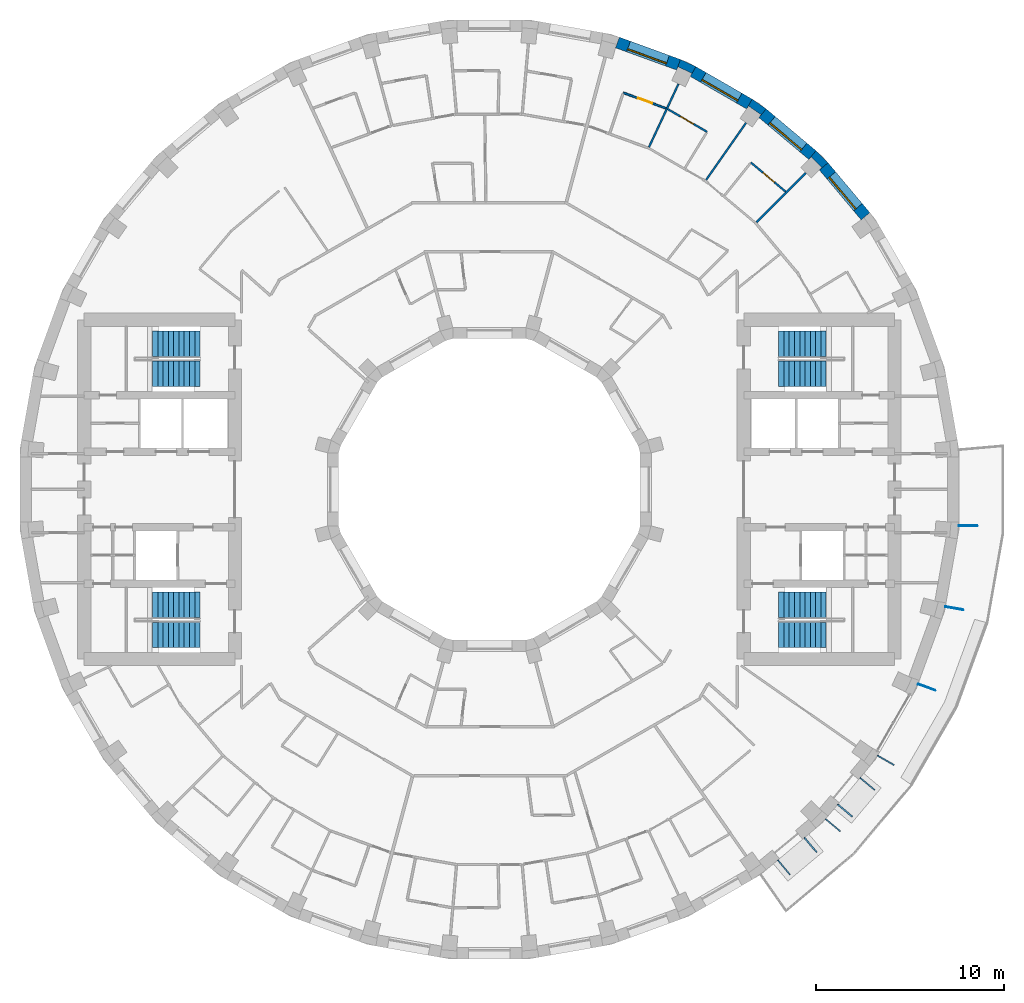
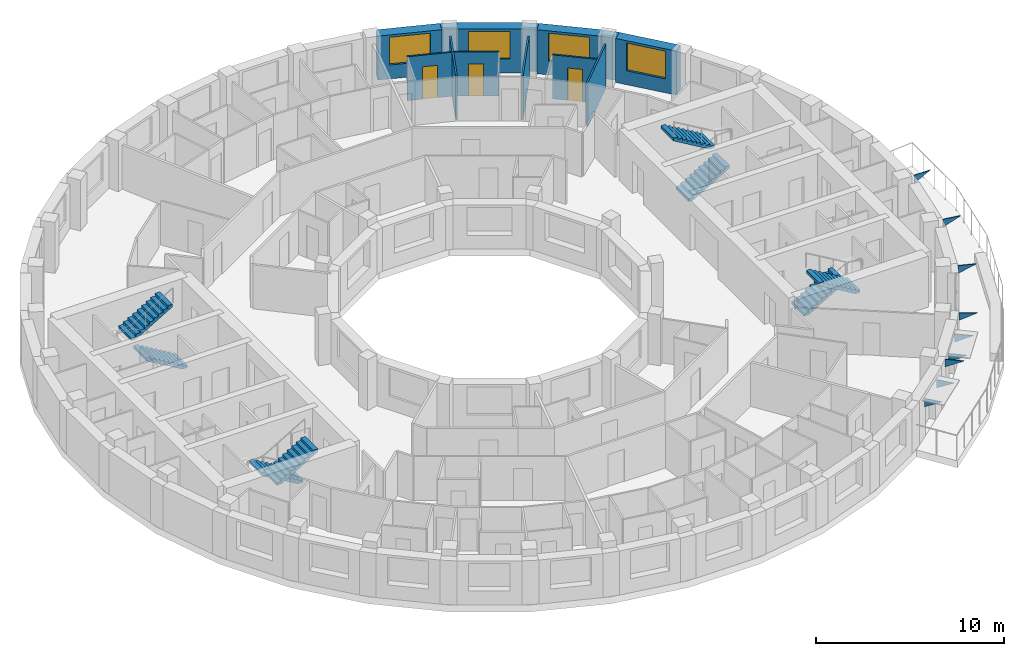
# One storey, part 13 of 14: 13 walls, 9 discrete accessories, 8 stair flights, 4 windows, 3 doors, 7 openings, 4 elements without a shape of their own.
"""IFC4 building model written with IfcOpenShell, lengths in metres."""

from ifc_helpers import new_model, si_unit, direction, frame, frame_2d, origin, place, context, subcontext, project, spatial, polyline, rectangle, outline, extrude, material, layer, layer_set, type_object, element, fill, aggregate, save


model = new_model("IFC4")

# Units and contexts
model_context = context("Model", 3, precision=1e-05, world=origin(), true_north=direction((0.0, 1.0)))
body_context = subcontext(model_context, "Body", "Model", "MODEL_VIEW")
ifc_project = project(units=[si_unit("LENGTHUNIT", "METRE"), si_unit("AREAUNIT", "SQUARE_METRE"), si_unit("VOLUMEUNIT", "CUBIC_METRE"), si_unit("PLANEANGLEUNIT", "RADIAN"), si_unit("MASSUNIT", "GRAM", prefix="KILO")], contexts=[model_context])

# Site, building, storey
site_placement = place(None, origin())
site = spatial("IfcSite", under=ifc_project, at=site_placement, CompositionType="ELEMENT")
building_placement = place(site_placement, origin())
building = spatial("IfcBuilding", under=site, at=building_placement, Name="Saqina Gate Tower", CompositionType="ELEMENT")
storey_placement = place(building_placement, frame((0.0, 0.0, 170.699951171875)))
storey = spatial("IfcBuildingStorey", under=building, at=storey_placement, Name="L48", CompositionType="ELEMENT", Elevation=170.699951171875)

# Walls
ifc_material_1 = material(Name="Brick masonry (buff)", Category="masonry")
wall_type_1 = type_object("IfcWallType", Name="BRICK PIER COPING BUFF", PredefinedType="SOLIDWALL", material=ifc_material_1)
wall_1_placement = place(storey_placement, origin())
element("IfcWall", 1, at=wall_1_placement, inside=storey, type_object=wall_type_1, Name="Pier cap L48 column 5", PredefinedType="SOLIDWALL", context=body_context, shape_type="SweptSolid", body=[
    extrude(outline(polyline([(17.329833984375, 17.969482421875), (16.944091796875, 17.510009765625), (17.07666015625, 17.642333984375), (17.642333984375, 17.07666015625), (17.510009765625, 16.944091796875), (17.969482421875, 17.329833984375), (17.329833984375, 17.969482421875)])), origin(), (0.0, 0.0, 1.0), 2.85009765625),
])
wall_2_placement = place(storey_placement, origin())
element("IfcWall", 2, at=wall_2_placement, inside=storey, type_object=wall_type_1, Name="Pier cap L48 column 6", PredefinedType="SOLIDWALL", context=body_context, shape_type="SweptSolid", body=[
    extrude(outline(polyline([(14.687255859375, 20.18701171875), (13.9462890625, 20.705810546875), (13.646240234375, 20.186279296875), (13.753662109375, 20.339599609375), (14.408935546875, 19.880859375), (14.301513671875, 19.727294921875), (14.687255859375, 20.18701171875)])), origin(), (0.0, 0.0, 1.0), 2.85009765625),
])
wall_3_placement = place(storey_placement, origin())
element("IfcWall", 3, at=wall_3_placement, inside=storey, type_object=wall_type_1, Name="Pier cap L48 column 7", PredefinedType="SOLIDWALL", context=body_context, shape_type="SweptSolid", body=[
    extrude(outline(polyline([(10.138916015625, 22.81298828125), (9.93359375, 22.249267578125), (10.0126953125, 22.4189453125), (10.73779296875, 22.080810546875), (10.65869140625, 21.9111328125), (10.958740234375, 22.4306640625), (10.138916015625, 22.81298828125)])), origin(), (0.0, 0.0, 1.0), 2.85009765625),
])

# Wall, opening, window
ifc_material_2 = material(Name="Brick masonry (buff)", Category="masonry")
ifc_layer_1 = layer(ifc_material_2, 0.60009765625)
ifc_layer_set_1 = layer_set([ifc_layer_1], Name="FW-BRICK-BUFF")
wall_type_2 = type_object("IfcWallType", Name="FW-BRICK-BUFF", PredefinedType="SOLIDWALL", material=ifc_layer_set_1)
wall_4_placement = place(storey_placement, frame((19.95703125, 14.494384765625, 0.0), z_axis=(0.0, 0.0, 1.0), x_axis=(-0.642770398358, 0.766058884809, 0.0)))
wall_4 = element("IfcWall", 4, at=wall_4_placement, inside=storey, type_object=wall_type_2, Name="Facade wall L48 facet 4", PredefinedType="SOLIDWALL", context=body_context, shape_type="SweptSolid", body=[
    extrude(rectangle(XDim=3.449462890625, YDim=0.60009765625, at=frame_2d((1.724609375, 0.0))), origin(), (0.0, 0.0, 1.0), 2.85009765625),
])
opening_1_placement = place(wall_4_placement, frame((0.625, 0.0, 0.89990234375)))
opening_1 = element("IfcOpeningElement", 5, at=opening_1_placement, cuts=wall_4, Name="Opening G14-W02", PredefinedType="OPENING", context=body_context, shape_type="SweptSolid", body=[
    extrude(rectangle(XDim=2.199951171875, YDim=1.800048828125, at=frame_2d((1.10009765625, 0.89990234375))), frame((0.0, 0.31201171875, 0.0), z_axis=(0.0, -1.0, 0.0), x_axis=(1.0, 0.0, 0.0)), (0.0, 0.0, 1.0), 0.6240234375),
])
ifc_material_3 = material(Name="Aluminium glazing", Category="aluminium")
window_type = type_object("IfcWindowType", Name="WN-C", PartitioningType="SINGLE_PANEL", PredefinedType="WINDOW", material=ifc_material_3)
window_1_placement = place(opening_1_placement, origin())
window_1 = element("IfcWindow", 6, at=window_1_placement, inside=storey, type_object=window_type, Name="Window L48 facet 4", OverallHeight=1.800048828125, OverallWidth=2.199951171875, PartitioningType="SINGLE_PANEL", PredefinedType="WINDOW", context=body_context, shape_type="SweptSolid", body=[
    extrude(rectangle(XDim=2.199951171875, YDim=1.800048828125, at=frame_2d((1.10009765625, 0.89990234375))), frame((0.0, 0.179931640625, 0.0), z_axis=(0.0, -1.0, 0.0), x_axis=(1.0, 0.0, 0.0)), (0.0, 0.0, 1.0), 0.06005859375),
])
fill(opening_1, window_1)

wall_5_placement = place(storey_placement, frame((17.136962890625, 17.73974609375, 0.0), z_axis=(0.0, 0.0, 1.0), x_axis=(-0.766058884809, 0.642770398358, 0.0)))
wall_5 = element("IfcWall", 7, at=wall_5_placement, inside=storey, type_object=wall_type_2, Name="Facade wall L48 facet 5", PredefinedType="SOLIDWALL", context=body_context, shape_type="SweptSolid", body=[
    extrude(rectangle(XDim=3.449462890625, YDim=0.60009765625, at=frame_2d((1.724609375, 0.0))), origin(), (0.0, 0.0, 1.0), 2.85009765625),
])
opening_2_placement = place(wall_5_placement, frame((0.625, 0.0, 0.89990234375)))
opening_2 = element("IfcOpeningElement", 8, at=opening_2_placement, cuts=wall_5, Name="Opening G14-W03", PredefinedType="OPENING", context=body_context, shape_type="SweptSolid", body=[
    extrude(rectangle(XDim=2.199951171875, YDim=1.800048828125, at=frame_2d((1.10009765625, 0.89990234375))), frame((0.0, 0.31201171875, 0.0), z_axis=(0.0, -1.0, 0.0), x_axis=(1.0, 0.0, 0.0)), (0.0, 0.0, 1.0), 0.6240234375),
])
window_2_placement = place(opening_2_placement, origin())
window_2 = element("IfcWindow", 9, at=window_2_placement, inside=storey, type_object=window_type, Name="Window L48 facet 5", OverallHeight=1.800048828125, OverallWidth=2.199951171875, PartitioningType="SINGLE_PANEL", PredefinedType="WINDOW", context=body_context, shape_type="SweptSolid", body=[
    extrude(rectangle(XDim=2.199951171875, YDim=1.800048828125, at=frame_2d((1.10009765625, 0.89990234375))), frame((0.0, 0.179931640625, 0.0), z_axis=(0.0, -1.0, 0.0), x_axis=(1.0, 0.0, 0.0)), (0.0, 0.0, 1.0), 0.06005859375),
])
fill(opening_2, window_2)

wall_6_placement = place(storey_placement, frame((13.796142578125, 20.446044921875, 0.0), z_axis=(0.0, 0.0, 1.0), x_axis=(-0.86602648383, 0.499998129301, 0.0)))
wall_6 = element("IfcWall", 10, at=wall_6_placement, inside=storey, type_object=wall_type_2, Name="Facade wall L48 facet 6", PredefinedType="SOLIDWALL", context=body_context, shape_type="SweptSolid", body=[
    extrude(rectangle(XDim=3.44970703125, YDim=0.60009765625, at=frame_2d((1.724853515625, 0.0))), origin(), (0.0, 0.0, 1.0), 2.85009765625),
])
opening_3_placement = place(wall_6_placement, frame((0.625, 0.0, 0.89990234375)))
opening_3 = element("IfcOpeningElement", 11, at=opening_3_placement, cuts=wall_6, Name="Opening G14-W04", PredefinedType="OPENING", context=body_context, shape_type="SweptSolid", body=[
    extrude(rectangle(XDim=2.199951171875, YDim=1.800048828125, at=frame_2d((1.10009765625, 0.89990234375))), frame((0.0, 0.31201171875, 0.0), z_axis=(0.0, -1.0, 0.0), x_axis=(1.0, 0.0, 0.0)), (0.0, 0.0, 1.0), 0.6240234375),
])
window_3_placement = place(opening_3_placement, origin())
window_3 = element("IfcWindow", 12, at=window_3_placement, inside=storey, type_object=window_type, Name="Window L48 facet 6", OverallHeight=1.800048828125, OverallWidth=2.199951171875, PartitioningType="SINGLE_PANEL", PredefinedType="WINDOW", context=body_context, shape_type="SweptSolid", body=[
    extrude(rectangle(XDim=2.199951171875, YDim=1.800048828125, at=frame_2d((1.10009765625, 0.89990234375))), frame((0.0, 0.179931640625, 0.0), z_axis=(0.0, -1.0, 0.0), x_axis=(1.0, 0.0, 0.0)), (0.0, 0.0, 1.0), 0.06005859375),
])
fill(opening_3, window_3)

wall_7_placement = place(storey_placement, frame((10.0361328125, 22.531005859375, 0.0), z_axis=(0.0, 0.0, 1.0), x_axis=(-0.93968799822, 0.342032843455, 0.0)))
wall_7 = element("IfcWall", 13, at=wall_7_placement, inside=storey, type_object=wall_type_2, Name="Facade wall L48 facet 7", PredefinedType="SOLIDWALL", context=body_context, shape_type="SweptSolid", body=[
    extrude(rectangle(XDim=3.44970703125, YDim=0.60009765625, at=frame_2d((1.724853515625, 0.0))), origin(), (0.0, 0.0, 1.0), 2.85009765625),
])
opening_4_placement = place(wall_7_placement, frame((0.625, 0.0, 0.89990234375)))
opening_4 = element("IfcOpeningElement", 14, at=opening_4_placement, cuts=wall_7, Name="Opening G14-W05", PredefinedType="OPENING", context=body_context, shape_type="SweptSolid", body=[
    extrude(rectangle(XDim=2.199951171875, YDim=1.800048828125, at=frame_2d((1.10009765625, 0.89990234375))), frame((0.0, 0.31201171875, 0.0), z_axis=(0.0, -1.0, 0.0), x_axis=(1.0, 0.0, 0.0)), (0.0, 0.0, 1.0), 0.6240234375),
])
window_4_placement = place(opening_4_placement, origin())
window_4 = element("IfcWindow", 15, at=window_4_placement, inside=storey, type_object=window_type, Name="Window L48 facet 7", OverallHeight=1.800048828125, OverallWidth=2.199951171875, PartitioningType="SINGLE_PANEL", PredefinedType="WINDOW", context=body_context, shape_type="SweptSolid", body=[
    extrude(rectangle(XDim=2.199951171875, YDim=1.800048828125, at=frame_2d((1.10009765625, 0.89990234375))), frame((0.0, 0.179931640625, 0.0), z_axis=(0.0, -1.0, 0.0), x_axis=(1.0, 0.0, 0.0)), (0.0, 0.0, 1.0), 0.06005859375),
])
fill(opening_4, window_4)

# Wall, opening, door
ifc_material_4 = material(Name="Gypsum board on steel studs, 100 mm", Category="steel")
ifc_layer_2 = layer(ifc_material_4, 0.10009765625)
ifc_layer_set_2 = layer_set([ifc_layer_2], Name="PARTITION 100")
wall_type_3 = type_object("IfcWallType", Name="PARTITION 100", PredefinedType="PARTITIONING", material=ifc_layer_set_2)
wall_8_placement = place(storey_placement, frame((13.876953125, 17.342041015625, 0.0), z_axis=(0.0, 0.0, 1.0), x_axis=(0.766024146731, -0.642811797204, 0.0)))
wall_8 = element("IfcWall", 16, at=wall_8_placement, inside=storey, type_object=wall_type_3, Name="PARTITION PW3-31", PredefinedType="PARTITIONING", context=body_context, shape_type="SweptSolid", body=[
    extrude(rectangle(XDim=2.409423828125, YDim=0.10009765625, at=frame_2d((1.20458984375, 0.0))), origin(), (0.0, 0.0, 1.0), 2.85009765625),
])
opening_5_placement = place(wall_8_placement, frame((0.82958984375, 0.0, 0.0)))
opening_5 = element("IfcOpeningElement", 17, at=opening_5_placement, cuts=wall_8, Name="Opening G14-D04", PredefinedType="OPENING", context=body_context, shape_type="SweptSolid", body=[
    extrude(rectangle(XDim=0.800048828125, YDim=2.10009765625, at=frame_2d((0.39990234375, 1.050048828125))), frame((0.0, 0.06201171875, 0.0), z_axis=(0.0, -1.0, 0.0), x_axis=(1.0, 0.0, 0.0)), (0.0, 0.0, 1.0), 0.1240234375),
])
ifc_material_5 = material(Name="Timber door leaf, 800 mm", Category="wood")
door_type = type_object("IfcDoorType", Name="DOOR 800 TIMBER", OperationType="SINGLE_SWING_LEFT", PredefinedType="DOOR", material=ifc_material_5)
door_1_placement = place(opening_5_placement, origin())
door_1 = element("IfcDoor", 18, at=door_1_placement, inside=storey, type_object=door_type, Name="DOOR G14-D04", OperationType="SINGLE_SWING_RIGHT", OverallHeight=2.10009765625, OverallWidth=0.800048828125, PredefinedType="DOOR", context=body_context, shape_type="SweptSolid", body=[
    extrude(rectangle(XDim=0.800048828125, YDim=2.10009765625, at=frame_2d((0.39990234375, 1.050048828125))), frame((0.0, 0.02490234375, 0.0), z_axis=(0.0, -1.0, 0.0), x_axis=(1.0, 0.0, 0.0)), (0.0, 0.0, 1.0), 0.050048828125),
])
fill(opening_5, door_1)

wall_9_placement = place(storey_placement, frame((9.46337890625, 20.176025390625, 0.0), z_axis=(0.0, 0.0, 1.0), x_axis=(0.866140030745, -0.499801407703, 0.0)))
wall_9 = element("IfcWall", 19, at=wall_9_placement, inside=storey, type_object=wall_type_3, Name="PARTITION PW3-41", PredefinedType="PARTITIONING", context=body_context, shape_type="SweptSolid", body=[
    extrude(rectangle(XDim=2.4091796875, YDim=0.10009765625, at=frame_2d((1.20458984375, 0.0))), origin(), (0.0, 0.0, 1.0), 2.85009765625),
])
opening_6_placement = place(wall_9_placement, frame((0.779541015625, 0.0, 0.0)))
opening_6 = element("IfcOpeningElement", 20, at=opening_6_placement, cuts=wall_9, Name="Opening G14-D10", PredefinedType="OPENING", context=body_context, shape_type="SweptSolid", body=[
    extrude(rectangle(XDim=0.800048828125, YDim=2.10009765625, at=frame_2d((0.39990234375, 1.050048828125))), frame((0.0, 0.06201171875, 0.0), z_axis=(0.0, -1.0, 0.0), x_axis=(1.0, 0.0, 0.0)), (0.0, 0.0, 1.0), 0.1240234375),
])
door_2_placement = place(opening_6_placement, origin())
door_2 = element("IfcDoor", 21, at=door_2_placement, inside=storey, type_object=door_type, Name="DOOR G14-D10", OperationType="SINGLE_SWING_LEFT", OverallHeight=2.10009765625, OverallWidth=0.800048828125, PredefinedType="DOOR", context=body_context, shape_type="SweptSolid", body=[
    extrude(rectangle(XDim=0.800048828125, YDim=2.10009765625, at=frame_2d((0.39990234375, 1.050048828125))), frame((0.0, 0.02490234375, 0.0), z_axis=(0.0, -1.0, 0.0), x_axis=(1.0, 0.0, 0.0)), (0.0, 0.0, 1.0), 0.050048828125),
])
fill(opening_6, door_2)

wall_10_placement = place(storey_placement, frame((7.10888671875, 21.0419921875, 0.0), z_axis=(0.0, 0.0, 1.0), x_axis=(0.939707598657, -0.34197898916, 0.0)))
wall_10 = element("IfcWall", 22, at=wall_10_placement, inside=storey, type_object=wall_type_3, Name="PARTITION PW3-45", PredefinedType="PARTITIONING", context=body_context, shape_type="SweptSolid", body=[
    extrude(rectangle(XDim=2.409423828125, YDim=0.10009765625, at=frame_2d((1.20458984375, 0.0))), origin(), (0.0, 0.0, 1.0), 2.85009765625),
])
opening_7_placement = place(wall_10_placement, frame((0.82958984375, 0.0, 0.0)))
opening_7 = element("IfcOpeningElement", 23, at=opening_7_placement, cuts=wall_10, Name="Opening G14-D12", PredefinedType="OPENING", context=body_context, shape_type="SweptSolid", body=[
    extrude(rectangle(XDim=0.800048828125, YDim=2.10009765625, at=frame_2d((0.39990234375, 1.050048828125))), frame((0.0, 0.06201171875, 0.0), z_axis=(0.0, -1.0, 0.0), x_axis=(1.0, 0.0, 0.0)), (0.0, 0.0, 1.0), 0.1240234375),
])
door_3_placement = place(opening_7_placement, origin())
door_3 = element("IfcDoor", 24, at=door_3_placement, inside=storey, type_object=door_type, Name="DOOR G14-D12", OperationType="SINGLE_SWING_RIGHT", OverallHeight=2.10009765625, OverallWidth=0.800048828125, PredefinedType="DOOR", context=body_context, shape_type="SweptSolid", body=[
    extrude(rectangle(XDim=0.800048828125, YDim=2.10009765625, at=frame_2d((0.39990234375, 1.050048828125))), frame((0.0, 0.02490234375, 0.0), z_axis=(0.0, -1.0, 0.0), x_axis=(1.0, 0.0, 0.0)), (0.0, 0.0, 1.0), 0.050048828125),
])
fill(opening_7, door_3)

# Walls
wall_11_placement = place(storey_placement, frame((14.173095703125, 14.173095703125, 0.0), z_axis=(0.0, 0.0, 1.0), x_axis=(0.707106781187, 0.707106781187, 0.0)))
element("IfcWall", 25, at=wall_11_placement, inside=storey, type_object=wall_type_3, Name="PARTITION PW3-81", PredefinedType="PARTITIONING", context=body_context, shape_type="SweptSolid", body=[
    extrude(rectangle(XDim=3.696044921875, YDim=0.10009765625, at=frame_2d((1.84814453125, 0.0))), origin(), (0.0, 0.0, 1.0), 2.85009765625),
])
wall_12_placement = place(storey_placement, frame((11.496826171875, 16.418212890625, 0.0), z_axis=(0.0, 0.0, 1.0), x_axis=(0.573515531974, 0.819194686619, 0.0)))
element("IfcWall", 26, at=wall_12_placement, inside=storey, type_object=wall_type_3, Name="PARTITION PW3-89", PredefinedType="PARTITIONING", context=body_context, shape_type="SweptSolid", body=[
    extrude(rectangle(XDim=3.69677734375, YDim=0.10009765625, at=frame_2d((1.848388671875, 0.0))), origin(), (0.0, 0.0, 1.0), 2.85009765625),
])
wall_13_placement = place(storey_placement, frame((8.465087890625, 18.154296875, 0.0), z_axis=(0.0, 0.0, 1.0), x_axis=(0.42277375715, 0.906235262096, 0.0)))
element("IfcWall", 27, at=wall_13_placement, inside=storey, type_object=wall_type_3, Name="PARTITION PW3-94", PredefinedType="PARTITIONING", context=body_context, shape_type="SweptSolid", body=[
    extrude(rectangle(XDim=3.709228515625, YDim=0.10009765625, at=frame_2d((1.8544921875, 0.0))), origin(), (0.0, 0.0, 1.0), 2.85009765625),
])

# Stair, stair flights
ifc_material_6 = material(Name="Concrete C40/50", Category="concrete")
stair_type = type_object("IfcStairType", Name="EXIT STAIR", PredefinedType="HALF_TURN_STAIR", material=ifc_material_6)
stair_1_placement = place(storey_placement, origin())
stair_1 = element("IfcStair", 28, at=stair_1_placement, inside=storey, type_object=stair_type, Name="EXIT STAIR 1", PredefinedType="HALF_TURN_STAIR")
ifc_material_7 = material(Name="Concrete C40/50", Category="concrete")
stair_flight_type = type_object("IfcStairFlightType", Name="EXIT STAIR FLIGHT", PredefinedType="STRAIGHT", material=ifc_material_7)
stair_flight_1_placement = place(storey_placement, frame((15.35009765625, 6.125, 0.0), z_axis=(0.0, 0.0, 1.0), x_axis=(1.0, 0.0, 0.0)))
stair_flight_1 = element("IfcStairFlight", 29, at=stair_flight_1_placement, type_object=stair_flight_type, Name="EXIT STAIR 1 FLIGHT 1", NumberOfRisers=10, NumberOfTreads=9, PredefinedType="STRAIGHT", RiserHeight=0.165, TreadLength=0.28, context=body_context, shape_type="SweptSolid", body=[
    extrude(outline(polyline([(0.0, 0.0), (0.0, 0.1650390625), (0.280029296875, 0.1650390625), (0.280029296875, 0.330078125), (0.56005859375, 0.330078125), (0.56005859375, 0.4951171875), (0.840087890625, 0.4951171875), (0.840087890625, 0.659912109375), (1.1201171875, 0.659912109375), (1.1201171875, 0.824951171875), (1.39990234375, 0.824951171875), (1.39990234375, 0.989990234375), (1.679931640625, 0.989990234375), (1.679931640625, 1.155029296875), (1.9599609375, 1.155029296875), (1.9599609375, 1.320068359375), (2.239990234375, 1.320068359375), (2.239990234375, 1.485107421875), (2.52001953125, 1.485107421875), (2.52001953125, 1.64990234375), (2.52001953125, 1.31103515625), (0.295166015625, 0.0), (0.0, 0.0)])), frame((0.0, 0.675048828125, 0.0), z_axis=(0.0, -1.0, 0.0), x_axis=(1.0, 0.0, 0.0)), (0.0, 0.0, 1.0), 1.35009765625),
])
stair_flight_2_placement = place(storey_placement, frame((17.8701171875, 7.72509765625, 1.650146484375), z_axis=(0.0, 0.0, 1.0), x_axis=(-1.0, 0.0, 0.0)))
stair_flight_2 = element("IfcStairFlight", 30, at=stair_flight_2_placement, type_object=stair_flight_type, Name="EXIT STAIR 1 FLIGHT 2", NumberOfRisers=10, NumberOfTreads=9, PredefinedType="STRAIGHT", RiserHeight=0.165, TreadLength=0.28, context=body_context, shape_type="SweptSolid", body=[
    extrude(outline(polyline([(0.0, 0.0), (0.0, 0.1650390625), (0.280029296875, 0.1650390625), (0.280029296875, 0.330078125), (0.56005859375, 0.330078125), (0.56005859375, 0.4951171875), (0.840087890625, 0.4951171875), (0.840087890625, 0.659912109375), (1.1201171875, 0.659912109375), (1.1201171875, 0.824951171875), (1.39990234375, 0.824951171875), (1.39990234375, 0.989990234375), (1.679931640625, 0.989990234375), (1.679931640625, 1.155029296875), (1.9599609375, 1.155029296875), (1.9599609375, 1.320068359375), (2.239990234375, 1.320068359375), (2.239990234375, 1.485107421875), (2.52001953125, 1.485107421875), (2.52001953125, 1.64990234375), (2.52001953125, 1.31103515625), (0.295166015625, 0.0), (0.0, 0.0)])), frame((0.0, 0.675048828125, 0.0), z_axis=(0.0, -1.0, 0.0), x_axis=(1.0, 0.0, 0.0)), (0.0, 0.0, 1.0), 1.35009765625),
])
aggregate(stair_1, [stair_flight_1, stair_flight_2])

stair_2_placement = place(storey_placement, origin())
stair_2 = element("IfcStair", 31, at=stair_2_placement, inside=storey, type_object=stair_type, Name="EXIT STAIR 2", PredefinedType="HALF_TURN_STAIR")
stair_flight_3_placement = place(storey_placement, frame((15.35009765625, -6.125, 0.0), z_axis=(0.0, 0.0, 1.0), x_axis=(1.0, 0.0, 0.0)))
stair_flight_3 = element("IfcStairFlight", 32, at=stair_flight_3_placement, type_object=stair_flight_type, Name="EXIT STAIR 2 FLIGHT 1", NumberOfRisers=10, NumberOfTreads=9, PredefinedType="STRAIGHT", RiserHeight=0.165, TreadLength=0.28, context=body_context, shape_type="SweptSolid", body=[
    extrude(outline(polyline([(0.0, 0.0), (0.0, 0.1650390625), (0.280029296875, 0.1650390625), (0.280029296875, 0.330078125), (0.56005859375, 0.330078125), (0.56005859375, 0.4951171875), (0.840087890625, 0.4951171875), (0.840087890625, 0.659912109375), (1.1201171875, 0.659912109375), (1.1201171875, 0.824951171875), (1.39990234375, 0.824951171875), (1.39990234375, 0.989990234375), (1.679931640625, 0.989990234375), (1.679931640625, 1.155029296875), (1.9599609375, 1.155029296875), (1.9599609375, 1.320068359375), (2.239990234375, 1.320068359375), (2.239990234375, 1.485107421875), (2.52001953125, 1.485107421875), (2.52001953125, 1.64990234375), (2.52001953125, 1.31103515625), (0.295166015625, 0.0), (0.0, 0.0)])), frame((0.0, 0.675048828125, 0.0), z_axis=(0.0, -1.0, 0.0), x_axis=(1.0, 0.0, 0.0)), (0.0, 0.0, 1.0), 1.35009765625),
])
stair_flight_4_placement = place(storey_placement, frame((17.8701171875, -7.72509765625, 1.650146484375), z_axis=(0.0, 0.0, 1.0), x_axis=(-1.0, 0.0, 0.0)))
stair_flight_4 = element("IfcStairFlight", 33, at=stair_flight_4_placement, type_object=stair_flight_type, Name="EXIT STAIR 2 FLIGHT 2", NumberOfRisers=10, NumberOfTreads=9, PredefinedType="STRAIGHT", RiserHeight=0.165, TreadLength=0.28, context=body_context, shape_type="SweptSolid", body=[
    extrude(outline(polyline([(0.0, 0.0), (0.0, 0.1650390625), (0.280029296875, 0.1650390625), (0.280029296875, 0.330078125), (0.56005859375, 0.330078125), (0.56005859375, 0.4951171875), (0.840087890625, 0.4951171875), (0.840087890625, 0.659912109375), (1.1201171875, 0.659912109375), (1.1201171875, 0.824951171875), (1.39990234375, 0.824951171875), (1.39990234375, 0.989990234375), (1.679931640625, 0.989990234375), (1.679931640625, 1.155029296875), (1.9599609375, 1.155029296875), (1.9599609375, 1.320068359375), (2.239990234375, 1.320068359375), (2.239990234375, 1.485107421875), (2.52001953125, 1.485107421875), (2.52001953125, 1.64990234375), (2.52001953125, 1.31103515625), (0.295166015625, 0.0), (0.0, 0.0)])), frame((0.0, 0.675048828125, 0.0), z_axis=(0.0, -1.0, 0.0), x_axis=(1.0, 0.0, 0.0)), (0.0, 0.0, 1.0), 1.35009765625),
])
aggregate(stair_2, [stair_flight_3, stair_flight_4])

stair_3_placement = place(storey_placement, origin())
stair_3 = element("IfcStair", 34, at=stair_3_placement, inside=storey, type_object=stair_type, Name="EXIT STAIR 3", PredefinedType="HALF_TURN_STAIR")
stair_flight_5_placement = place(storey_placement, frame((-15.35009765625, 6.125, 0.0), z_axis=(0.0, 0.0, 1.0), x_axis=(-1.0, 0.0, 0.0)))
stair_flight_5 = element("IfcStairFlight", 35, at=stair_flight_5_placement, type_object=stair_flight_type, Name="EXIT STAIR 3 FLIGHT 1", NumberOfRisers=10, NumberOfTreads=9, PredefinedType="STRAIGHT", RiserHeight=0.165, TreadLength=0.28, context=body_context, shape_type="SweptSolid", body=[
    extrude(outline(polyline([(0.0, 0.0), (0.0, 0.1650390625), (0.280029296875, 0.1650390625), (0.280029296875, 0.330078125), (0.56005859375, 0.330078125), (0.56005859375, 0.4951171875), (0.840087890625, 0.4951171875), (0.840087890625, 0.659912109375), (1.1201171875, 0.659912109375), (1.1201171875, 0.824951171875), (1.39990234375, 0.824951171875), (1.39990234375, 0.989990234375), (1.679931640625, 0.989990234375), (1.679931640625, 1.155029296875), (1.9599609375, 1.155029296875), (1.9599609375, 1.320068359375), (2.239990234375, 1.320068359375), (2.239990234375, 1.485107421875), (2.52001953125, 1.485107421875), (2.52001953125, 1.64990234375), (2.52001953125, 1.31103515625), (0.295166015625, 0.0), (0.0, 0.0)])), frame((0.0, 0.675048828125, 0.0), z_axis=(0.0, -1.0, 0.0), x_axis=(1.0, 0.0, 0.0)), (0.0, 0.0, 1.0), 1.35009765625),
])
stair_flight_6_placement = place(storey_placement, frame((-17.8701171875, 7.72509765625, 1.650146484375), z_axis=(0.0, 0.0, 1.0), x_axis=(1.0, 0.0, 0.0)))
stair_flight_6 = element("IfcStairFlight", 36, at=stair_flight_6_placement, type_object=stair_flight_type, Name="EXIT STAIR 3 FLIGHT 2", NumberOfRisers=10, NumberOfTreads=9, PredefinedType="STRAIGHT", RiserHeight=0.165, TreadLength=0.28, context=body_context, shape_type="SweptSolid", body=[
    extrude(outline(polyline([(0.0, 0.0), (0.0, 0.1650390625), (0.280029296875, 0.1650390625), (0.280029296875, 0.330078125), (0.56005859375, 0.330078125), (0.56005859375, 0.4951171875), (0.840087890625, 0.4951171875), (0.840087890625, 0.659912109375), (1.1201171875, 0.659912109375), (1.1201171875, 0.824951171875), (1.39990234375, 0.824951171875), (1.39990234375, 0.989990234375), (1.679931640625, 0.989990234375), (1.679931640625, 1.155029296875), (1.9599609375, 1.155029296875), (1.9599609375, 1.320068359375), (2.239990234375, 1.320068359375), (2.239990234375, 1.485107421875), (2.52001953125, 1.485107421875), (2.52001953125, 1.64990234375), (2.52001953125, 1.31103515625), (0.295166015625, 0.0), (0.0, 0.0)])), frame((0.0, 0.675048828125, 0.0), z_axis=(0.0, -1.0, 0.0), x_axis=(1.0, 0.0, 0.0)), (0.0, 0.0, 1.0), 1.35009765625),
])
aggregate(stair_3, [stair_flight_5, stair_flight_6])

stair_4_placement = place(storey_placement, origin())
stair_4 = element("IfcStair", 37, at=stair_4_placement, inside=storey, type_object=stair_type, Name="EXIT STAIR 4", PredefinedType="HALF_TURN_STAIR")
stair_flight_7_placement = place(storey_placement, frame((-15.35009765625, -6.125, 0.0), z_axis=(0.0, 0.0, 1.0), x_axis=(-1.0, 0.0, 0.0)))
stair_flight_7 = element("IfcStairFlight", 38, at=stair_flight_7_placement, type_object=stair_flight_type, Name="EXIT STAIR 4 FLIGHT 1", NumberOfRisers=10, NumberOfTreads=9, PredefinedType="STRAIGHT", RiserHeight=0.165, TreadLength=0.28, context=body_context, shape_type="SweptSolid", body=[
    extrude(outline(polyline([(0.0, 0.0), (0.0, 0.1650390625), (0.280029296875, 0.1650390625), (0.280029296875, 0.330078125), (0.56005859375, 0.330078125), (0.56005859375, 0.4951171875), (0.840087890625, 0.4951171875), (0.840087890625, 0.659912109375), (1.1201171875, 0.659912109375), (1.1201171875, 0.824951171875), (1.39990234375, 0.824951171875), (1.39990234375, 0.989990234375), (1.679931640625, 0.989990234375), (1.679931640625, 1.155029296875), (1.9599609375, 1.155029296875), (1.9599609375, 1.320068359375), (2.239990234375, 1.320068359375), (2.239990234375, 1.485107421875), (2.52001953125, 1.485107421875), (2.52001953125, 1.64990234375), (2.52001953125, 1.31103515625), (0.295166015625, 0.0), (0.0, 0.0)])), frame((0.0, 0.675048828125, 0.0), z_axis=(0.0, -1.0, 0.0), x_axis=(1.0, 0.0, 0.0)), (0.0, 0.0, 1.0), 1.35009765625),
])
stair_flight_8_placement = place(storey_placement, frame((-17.8701171875, -7.72509765625, 1.650146484375), z_axis=(0.0, 0.0, 1.0), x_axis=(1.0, 0.0, 0.0)))
stair_flight_8 = element("IfcStairFlight", 39, at=stair_flight_8_placement, type_object=stair_flight_type, Name="EXIT STAIR 4 FLIGHT 2", NumberOfRisers=10, NumberOfTreads=9, PredefinedType="STRAIGHT", RiserHeight=0.165, TreadLength=0.28, context=body_context, shape_type="SweptSolid", body=[
    extrude(outline(polyline([(0.0, 0.0), (0.0, 0.1650390625), (0.280029296875, 0.1650390625), (0.280029296875, 0.330078125), (0.56005859375, 0.330078125), (0.56005859375, 0.4951171875), (0.840087890625, 0.4951171875), (0.840087890625, 0.659912109375), (1.1201171875, 0.659912109375), (1.1201171875, 0.824951171875), (1.39990234375, 0.824951171875), (1.39990234375, 0.989990234375), (1.679931640625, 0.989990234375), (1.679931640625, 1.155029296875), (1.9599609375, 1.155029296875), (1.9599609375, 1.320068359375), (2.239990234375, 1.320068359375), (2.239990234375, 1.485107421875), (2.52001953125, 1.485107421875), (2.52001953125, 1.64990234375), (2.52001953125, 1.31103515625), (0.295166015625, 0.0), (0.0, 0.0)])), frame((0.0, 0.675048828125, 0.0), z_axis=(0.0, -1.0, 0.0), x_axis=(1.0, 0.0, 0.0)), (0.0, 0.0, 1.0), 1.35009765625),
])
aggregate(stair_4, [stair_flight_7, stair_flight_8])

# Discrete accessories
ifc_material_8 = material(Name="Galvanised steel", Category="steel")
ifc_layer_3 = layer(ifc_material_8, 0.050048828125)
ifc_layer_set_3 = layer_set([ifc_layer_3], Name="BR-AWNING")
discrete_accessory_type_1 = type_object("IfcDiscreteAccessoryType", Name="BR-AWNING", PredefinedType="BRACKET", material=ifc_layer_set_3)
for number, where, z_axis, x_axis, name in (
    (40, (15.319091796875, -19.65673828125, 1.97509765625), (0.765954930181, 0.642894271969, 0.0), (0.0, 0.0, 1.0), "Awning bracket L48 facet 31"),
    (41, (16.736083984375, -18.4677734375, 1.97509765625), (0.765954930181, 0.642894271969, 0.0), (0.0, 0.0, 1.0), "Awning bracket L48 facet 31"),
):
    element("IfcDiscreteAccessory", number, at=place(storey_placement, frame(where, z_axis=z_axis, x_axis=x_axis)), inside=storey, type_object=discrete_accessory_type_1, Name=name, PredefinedType="BRACKET", context=body_context, shape_type="SweptSolid", body=[
        extrude(outline(polyline([(0.0, 0.0), (0.550048828125, 0.0), (0.550048828125, 0.9998879966000863), (0.0, 0.0)])), origin(), (0.0, 0.0, -1.0), 0.050048828125),
    ])
discrete_accessory_1_placement = place(storey_placement, frame((18.499755859375, -16.697998046875, 1.97509765625), z_axis=(0.64277405138, 0.766055819685, 0.0), x_axis=(0.0, 0.0, 1.0)))
element("IfcDiscreteAccessory", 42, at=discrete_accessory_1_placement, inside=storey, type_object=discrete_accessory_type_1, Name="Awning bracket L48 facet 32", PredefinedType="BRACKET", context=body_context, shape_type="SweptSolid", body=[
    extrude(outline(polyline([(0.0, 0.0), (0.550048828125, 0.0), (0.550048828125, 1.0000750096322273), (0.0, 0.0)])), origin(), (0.0, 0.0, -1.0), 0.050048828125),
])
discrete_accessory_2_placement = place(storey_placement, frame((19.688720703125, -15.281005859375, 1.97509765625), z_axis=(0.642630756546, 0.766176031171, 0.0), x_axis=(0.0, 0.0, 1.0)))
element("IfcDiscreteAccessory", 43, at=discrete_accessory_2_placement, inside=storey, type_object=discrete_accessory_type_1, Name="Awning bracket L48 facet 32", PredefinedType="BRACKET", context=body_context, shape_type="SweptSolid", body=[
    extrude(outline(polyline([(0.0, 0.0), (0.550048828125, 0.0), (0.550048828125, 0.9999180998642625), (0.0, 0.0)])), origin(), (0.0, 0.0, -1.0), 0.050048828125),
])
ifc_material_9 = material(Name="Galvanised steel", Category="steel")
ifc_layer_4 = layer(ifc_material_9, 0.050048828125)
ifc_layer_set_4 = layer_set([ifc_layer_4], Name="BR-GUSSET")
discrete_accessory_type_2 = type_object("IfcDiscreteAccessoryType", Name="BR-GUSSET", PredefinedType="BRACKET", material=ifc_layer_set_4)
discrete_accessory_3_placement = place(storey_placement, frame((17.8544921875, -17.467041015625, 2.35009765625), z_axis=(0.64277405138, 0.766055819685, 0.0), x_axis=(0.0, 0.0, 1.0)))
element("IfcDiscreteAccessory", 44, at=discrete_accessory_3_placement, inside=storey, type_object=discrete_accessory_type_2, Name="Terrace slab bracket L49 1", PredefinedType="BRACKET", context=body_context, shape_type="SweptSolid", body=[
    extrude(outline(polyline([(0.0, 0.0), (0.5, 0.0), (0.5, 1.0000750096322275), (0.0, 0.0)])), origin(), (0.0, 0.0, -1.0), 0.050048828125),
])
discrete_accessory_4_placement = place(storey_placement, frame((20.6162109375, -14.101318359375, 2.35009765625), z_axis=(0.499919672301, 0.866071776036, 0.0), x_axis=(0.0, 0.0, 1.0)))
element("IfcDiscreteAccessory", 45, at=discrete_accessory_4_placement, inside=storey, type_object=discrete_accessory_type_2, Name="Terrace slab bracket L49 2", PredefinedType="BRACKET", context=body_context, shape_type="SweptSolid", body=[
    extrude(outline(polyline([(0.0, 0.0), (0.5, 0.0), (0.5, 1.0001606812130883), (0.0, 0.0)])), origin(), (0.0, 0.0, -1.0), 0.050048828125),
])
discrete_accessory_5_placement = place(storey_placement, frame((22.751708984375, -10.306884765625, 2.35009765625), z_axis=(0.34225263024, 0.939607969897, 0.0), x_axis=(0.0, 0.0, 1.0)))
element("IfcDiscreteAccessory", 46, at=discrete_accessory_5_placement, inside=storey, type_object=discrete_accessory_type_2, Name="Terrace slab bracket L49 3", PredefinedType="BRACKET", context=body_context, shape_type="SweptSolid", body=[
    extrude(outline(polyline([(0.0, 0.0), (0.5, 0.0), (0.5, 1.0000950350902602), (0.0, 0.0)])), origin(), (0.0, 0.0, -1.0), 0.050048828125),
])
discrete_accessory_6_placement = place(storey_placement, frame((24.19580078125, -6.19970703125, 2.35009765625), z_axis=(0.173576426815, 0.984820401928, 0.0), x_axis=(0.0, 0.0, 1.0)))
element("IfcDiscreteAccessory", 47, at=discrete_accessory_6_placement, inside=storey, type_object=discrete_accessory_type_2, Name="Terrace slab bracket L49 4", PredefinedType="BRACKET", context=body_context, shape_type="SweptSolid", body=[
    extrude(outline(polyline([(0.0, 0.0), (0.5, 0.0), (0.5, 1.000043540245132), (0.0, 0.0)])), origin(), (0.0, 0.0, -1.0), 0.050048828125),
])
discrete_accessory_7_placement = place(storey_placement, frame((24.90478515625, -1.90380859375, 2.35009765625), z_axis=(0.0, 1.0, 0.0), x_axis=(0.0, 0.0, 1.0)))
element("IfcDiscreteAccessory", 48, at=discrete_accessory_7_placement, inside=storey, type_object=discrete_accessory_type_2, Name="Terrace slab bracket L49 5", PredefinedType="BRACKET", context=body_context, shape_type="SweptSolid", body=[
    extrude(outline(polyline([(0.0, 0.0), (0.5, 0.0), (0.5, 1.0), (0.0, 0.0)])), origin(), (0.0, 0.0, -1.0), 0.050048828125),
])

save(model, "model.ifc")
